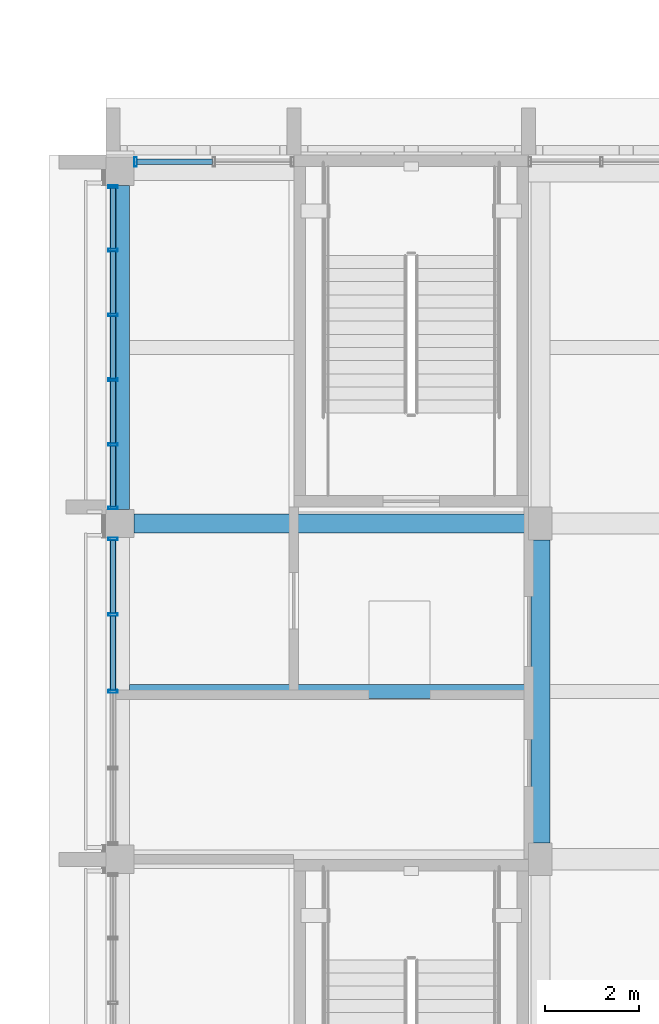
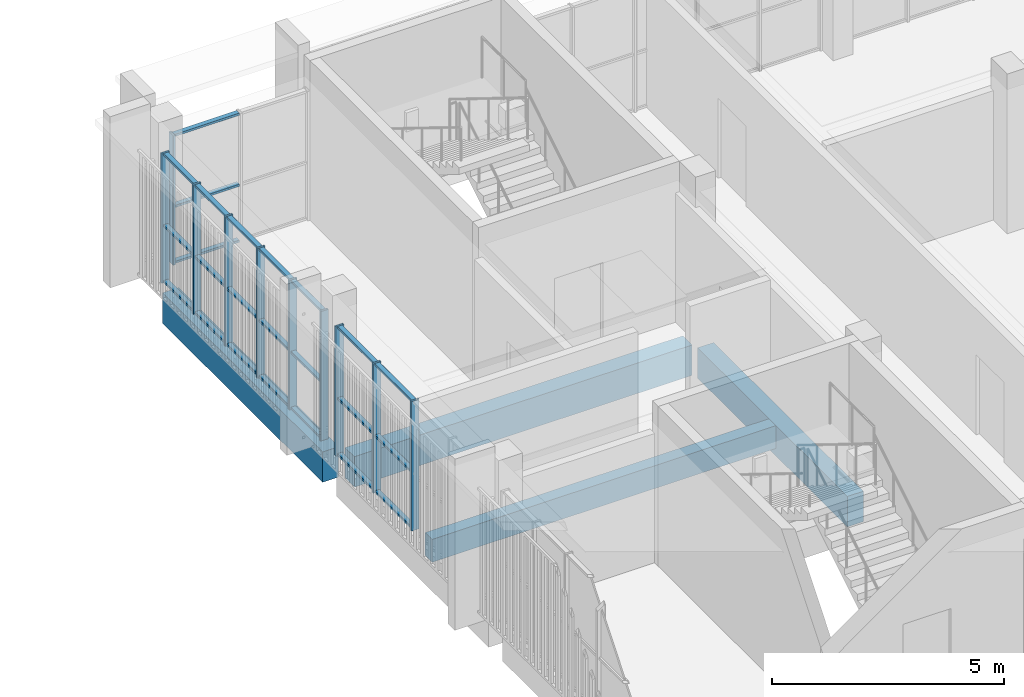
# One storey, part 35 of 98: 34 members, 4 beams, 3 elements without a shape of their own.
"""IFC4 building model written with IfcOpenShell, lengths in metres."""

from ifc_helpers import new_model, si_unit, direction, frame, origin, origin_2d, place, context, subcontext, project, spatial, rectangle, hollow_rectangle, extrude, material, material_profile, profile_set, type_object, element, aggregate, save


model = new_model("IFC4")

# Units and contexts
model_context = context("Model", 3, precision=1e-05, world=origin(), true_north=direction((0.0, 1.0)))
body_context = subcontext(model_context, "Body", "Model", "MODEL_VIEW")
ifc_project = project(units=[si_unit("LENGTHUNIT", "METRE"), si_unit("AREAUNIT", "SQUARE_METRE"), si_unit("VOLUMEUNIT", "CUBIC_METRE"), si_unit("PLANEANGLEUNIT", "RADIAN"), si_unit("MASSUNIT", "GRAM", prefix="KILO")], contexts=[model_context])

# Site, building, storey
site_placement = place(None, origin())
site = spatial("IfcSite", under=ifc_project, at=site_placement, CompositionType="ELEMENT")
building_placement = place(site_placement, origin())
building = spatial("IfcBuilding", under=site, at=building_placement, Name="Sun Court Science Centre", CompositionType="ELEMENT")
storey_placement = place(building_placement, frame((0.0, 0.0, 15.75)))
storey = spatial("IfcBuildingStorey", under=building, at=storey_placement, Name="L03", CompositionType="ELEMENT", Elevation=15.75)

# Curtain wall, members
ifc_material_1 = material(Name="Aluminium EN AW-6063 T6", Category="aluminium")
curtain_wall_type = type_object("IfcCurtainWallType", Name="Laboratory tall bay curtain wall 1500", PredefinedType="NOTDEFINED", material=ifc_material_1)
curtain_wall_1_placement = place(storey_placement, origin())
curtain_wall_1 = element("IfcCurtainWall", 1, at=curtain_wall_1_placement, inside=storey, type_object=curtain_wall_type, Name="Curtain wall V4 W L03 08", PredefinedType="NOTDEFINED")
ifc_material_2 = material(Name="Aluminium EN AW-6063 T6", Category="aluminium")
ifc_material_profile_1 = material_profile(ifc_material_2, hollow_rectangle(XDim=0.06005859375, YDim=0.199951171875, WallThickness=0.0048828125, InnerFilletRadius=0.0048828125, OuterFilletRadius=0.007568359375, at=origin_2d()), Name="AL 60x200x5")
ifc_profile_set_1 = profile_set([ifc_material_profile_1], Name="Aluminium EN AW-6063 T6")
member_type_1 = type_object("IfcMemberType", Name="Curtain wall mullion AL 60x200", PredefinedType="MULLION", material=ifc_profile_set_1)
member_1_placement = place(storey_placement, frame((78.14990234375, 69.574951171875, 0.0), z_axis=(0.0, 0.0, 1.0), x_axis=(0.0, 1.0, 0.0)))
member_1 = element("IfcMember", 2, at=member_1_placement, type_object=member_type_1, Name="CW2-35 mullion 3", PredefinedType="MULLION", context=body_context, shape_type="SweptSolid", body=[
    extrude(hollow_rectangle(XDim=0.06005859375, YDim=0.199951171875, WallThickness=0.0048828125, InnerFilletRadius=0.0048828125, OuterFilletRadius=0.007568359375, at=origin_2d()), origin(), (0.0, 0.0, 1.0), 3.39990234375),
])
member_2_placement = place(storey_placement, frame((78.14990234375, 71.21240234375, 0.0), z_axis=(0.0, 0.0, 1.0), x_axis=(0.0, 1.0, 0.0)))
member_2 = element("IfcMember", 3, at=member_2_placement, type_object=member_type_1, Name="CW2-35 mullion 4", PredefinedType="MULLION", context=body_context, shape_type="SweptSolid", body=[
    extrude(hollow_rectangle(XDim=0.06005859375, YDim=0.199951171875, WallThickness=0.0048828125, InnerFilletRadius=0.0048828125, OuterFilletRadius=0.007568359375, at=origin_2d()), origin(), (0.0, 0.0, 1.0), 3.39990234375),
])
member_3_placement = place(storey_placement, frame((78.14990234375, 72.820068359375, 0.0), z_axis=(0.0, 0.0, 1.0), x_axis=(0.0, 1.0, 0.0)))
member_3 = element("IfcMember", 4, at=member_3_placement, type_object=member_type_1, Name="CW2-35 mullion 5", PredefinedType="MULLION", context=body_context, shape_type="SweptSolid", body=[
    extrude(hollow_rectangle(XDim=0.06005859375, YDim=0.199951171875, WallThickness=0.0048828125, InnerFilletRadius=0.0048828125, OuterFilletRadius=0.007568359375, at=origin_2d()), origin(), (0.0, 0.0, 1.0), 3.39990234375),
])

curtain_wall_2_placement = place(storey_placement, origin())
curtain_wall_2 = element("IfcCurtainWall", 5, at=curtain_wall_2_placement, inside=storey, type_object=curtain_wall_type, Name="Curtain wall V4 W L03 09", PredefinedType="NOTDEFINED")
member_4_placement = place(storey_placement, frame((78.14990234375, 73.47998046875, 0.0), z_axis=(0.0, 0.0, 1.0), x_axis=(0.0, 1.0, 0.0)))
member_4 = element("IfcMember", 6, at=member_4_placement, type_object=member_type_1, Name="CW2-36 mullion 1", PredefinedType="MULLION", context=body_context, shape_type="SweptSolid", body=[
    extrude(hollow_rectangle(XDim=0.06005859375, YDim=0.199951171875, WallThickness=0.0048828125, InnerFilletRadius=0.0048828125, OuterFilletRadius=0.007568359375, at=origin_2d()), origin(), (0.0, 0.0, 1.0), 3.39990234375),
])
member_5_placement = place(storey_placement, frame((78.14990234375, 74.830078125, 0.0), z_axis=(0.0, 0.0, 1.0), x_axis=(0.0, 1.0, 0.0)))
member_5 = element("IfcMember", 7, at=member_5_placement, type_object=member_type_1, Name="CW2-36 mullion 2", PredefinedType="MULLION", context=body_context, shape_type="SweptSolid", body=[
    extrude(hollow_rectangle(XDim=0.06005859375, YDim=0.199951171875, WallThickness=0.0048828125, InnerFilletRadius=0.0048828125, OuterFilletRadius=0.007568359375, at=origin_2d()), origin(), (0.0, 0.0, 1.0), 3.39990234375),
])
member_6_placement = place(storey_placement, frame((78.14990234375, 76.2099609375, 0.0), z_axis=(0.0, 0.0, 1.0), x_axis=(0.0, 1.0, 0.0)))
member_6 = element("IfcMember", 8, at=member_6_placement, type_object=member_type_1, Name="CW2-36 mullion 3", PredefinedType="MULLION", context=body_context, shape_type="SweptSolid", body=[
    extrude(hollow_rectangle(XDim=0.06005859375, YDim=0.199951171875, WallThickness=0.0048828125, InnerFilletRadius=0.0048828125, OuterFilletRadius=0.007568359375, at=origin_2d()), origin(), (0.0, 0.0, 1.0), 3.39990234375),
])
member_7_placement = place(storey_placement, frame((78.14990234375, 77.590087890625, 0.0), z_axis=(0.0, 0.0, 1.0), x_axis=(0.0, 1.0, 0.0)))
member_7 = element("IfcMember", 9, at=member_7_placement, type_object=member_type_1, Name="CW2-36 mullion 4", PredefinedType="MULLION", context=body_context, shape_type="SweptSolid", body=[
    extrude(hollow_rectangle(XDim=0.06005859375, YDim=0.199951171875, WallThickness=0.0048828125, InnerFilletRadius=0.0048828125, OuterFilletRadius=0.007568359375, at=origin_2d()), origin(), (0.0, 0.0, 1.0), 3.39990234375),
])
member_8_placement = place(storey_placement, frame((78.14990234375, 78.969970703125, 0.0), z_axis=(0.0, 0.0, 1.0), x_axis=(0.0, 1.0, 0.0)))
member_8 = element("IfcMember", 10, at=member_8_placement, type_object=member_type_1, Name="CW2-36 mullion 5", PredefinedType="MULLION", context=body_context, shape_type="SweptSolid", body=[
    extrude(hollow_rectangle(XDim=0.06005859375, YDim=0.199951171875, WallThickness=0.0048828125, InnerFilletRadius=0.0048828125, OuterFilletRadius=0.007568359375, at=origin_2d()), origin(), (0.0, 0.0, 1.0), 3.39990234375),
])
member_9_placement = place(storey_placement, frame((78.14990234375, 80.320068359375, 0.0), z_axis=(0.0, 0.0, 1.0), x_axis=(0.0, 1.0, 0.0)))
member_9 = element("IfcMember", 11, at=member_9_placement, type_object=member_type_1, Name="CW2-36 mullion 6", PredefinedType="MULLION", context=body_context, shape_type="SweptSolid", body=[
    extrude(hollow_rectangle(XDim=0.06005859375, YDim=0.199951171875, WallThickness=0.0048828125, InnerFilletRadius=0.0048828125, OuterFilletRadius=0.007568359375, at=origin_2d()), origin(), (0.0, 0.0, 1.0), 3.39990234375),
])

# Curtain wall, member
curtain_wall_3_placement = place(storey_placement, origin())
curtain_wall_3 = element("IfcCurtainWall", 12, at=curtain_wall_3_placement, inside=storey, type_object=curtain_wall_type, Name="Curtain wall V4 N L03 01", PredefinedType="NOTDEFINED")
member_10_placement = place(storey_placement, frame((78.6298828125, 80.85009765625, 0.0), z_axis=(0.0, 0.0, 1.0), x_axis=(1.0, 0.0, 0.0)))
member_10 = element("IfcMember", 13, at=member_10_placement, type_object=member_type_1, Name="CW2-70 mullion 1", PredefinedType="MULLION", context=body_context, shape_type="SweptSolid", body=[
    extrude(hollow_rectangle(XDim=0.06005859375, YDim=0.199951171875, WallThickness=0.0048828125, InnerFilletRadius=0.0048828125, OuterFilletRadius=0.007568359375, at=origin_2d()), origin(), (0.0, 0.0, 1.0), 3.39990234375),
])

# Member
ifc_material_3 = material(Name="Aluminium EN AW-6063 T6", Category="aluminium")
ifc_material_profile_2 = material_profile(ifc_material_3, hollow_rectangle(XDim=0.06005859375, YDim=0.1201171875, WallThickness=0.00390625, InnerFilletRadius=0.00390625, OuterFilletRadius=0.006103515625, at=origin_2d()), Name="AL 60x120x4")
ifc_profile_set_2 = profile_set([ifc_material_profile_2], Name="Aluminium EN AW-6063 T6")
member_type_2 = type_object("IfcMemberType", Name="Curtain wall transom AL 60x120", PredefinedType="USERDEFINED", material=ifc_profile_set_2)
member_11_placement = place(storey_placement, frame((78.14990234375, 69.60498046875, 0.030029296875), z_axis=(0.0, 1.0, 0.0), x_axis=(0.0, 0.0, 1.0)))
member_11 = element("IfcMember", 14, at=member_11_placement, type_object=member_type_2, Name="CW2-35 transom 3.1", ObjectType="TRANSOM", PredefinedType="USERDEFINED", context=body_context, shape_type="SweptSolid", body=[
    extrude(hollow_rectangle(XDim=0.06005859375, YDim=0.1201171875, WallThickness=0.00390625, InnerFilletRadius=0.00390625, OuterFilletRadius=0.006103515625, at=origin_2d()), origin(), (0.0, 0.0, 1.0), 1.57763671875),
])

member_12_placement = place(storey_placement, frame((78.14990234375, 71.242431640625, 0.030029296875), z_axis=(0.0, 1.0, 0.0), x_axis=(0.0, 0.0, 1.0)))
member_12 = element("IfcMember", 15, at=member_12_placement, type_object=member_type_2, Name="CW2-35 transom 4.1", ObjectType="TRANSOM", PredefinedType="USERDEFINED", context=body_context, shape_type="SweptSolid", body=[
    extrude(hollow_rectangle(XDim=0.06005859375, YDim=0.1201171875, WallThickness=0.00390625, InnerFilletRadius=0.00390625, OuterFilletRadius=0.006103515625, at=origin_2d()), origin(), (0.0, 0.0, 1.0), 1.547607421875),
])

member_13_placement = place(storey_placement, frame((78.14990234375, 69.60498046875, 1.5), z_axis=(0.0, 1.0, 0.0), x_axis=(0.0, 0.0, 1.0)))
member_13 = element("IfcMember", 16, at=member_13_placement, type_object=member_type_2, Name="CW2-35 transom 3.2", ObjectType="TRANSOM", PredefinedType="USERDEFINED", context=body_context, shape_type="SweptSolid", body=[
    extrude(hollow_rectangle(XDim=0.06005859375, YDim=0.1201171875, WallThickness=0.00390625, InnerFilletRadius=0.00390625, OuterFilletRadius=0.006103515625, at=origin_2d()), origin(), (0.0, 0.0, 1.0), 1.57763671875),
])

member_14_placement = place(storey_placement, frame((78.14990234375, 71.242431640625, 1.5), z_axis=(0.0, 1.0, 0.0), x_axis=(0.0, 0.0, 1.0)))
member_14 = element("IfcMember", 17, at=member_14_placement, type_object=member_type_2, Name="CW2-35 transom 4.2", ObjectType="TRANSOM", PredefinedType="USERDEFINED", context=body_context, shape_type="SweptSolid", body=[
    extrude(hollow_rectangle(XDim=0.06005859375, YDim=0.1201171875, WallThickness=0.00390625, InnerFilletRadius=0.00390625, OuterFilletRadius=0.006103515625, at=origin_2d()), origin(), (0.0, 0.0, 1.0), 1.547607421875),
])

member_15_placement = place(storey_placement, frame((78.14990234375, 69.60498046875, 3.3701171875), z_axis=(0.0, 1.0, 0.0), x_axis=(0.0, 0.0, 1.0)))
member_15 = element("IfcMember", 18, at=member_15_placement, type_object=member_type_2, Name="CW2-35 transom 3.3", ObjectType="TRANSOM", PredefinedType="USERDEFINED", context=body_context, shape_type="SweptSolid", body=[
    extrude(hollow_rectangle(XDim=0.06005859375, YDim=0.1201171875, WallThickness=0.00390625, InnerFilletRadius=0.00390625, OuterFilletRadius=0.006103515625, at=origin_2d()), origin(), (0.0, 0.0, 1.0), 1.57763671875),
])

member_16_placement = place(storey_placement, frame((78.14990234375, 71.242431640625, 3.3701171875), z_axis=(0.0, 1.0, 0.0), x_axis=(0.0, 0.0, 1.0)))
member_16 = element("IfcMember", 19, at=member_16_placement, type_object=member_type_2, Name="CW2-35 transom 4.3", ObjectType="TRANSOM", PredefinedType="USERDEFINED", context=body_context, shape_type="SweptSolid", body=[
    extrude(hollow_rectangle(XDim=0.06005859375, YDim=0.1201171875, WallThickness=0.00390625, InnerFilletRadius=0.00390625, OuterFilletRadius=0.006103515625, at=origin_2d()), origin(), (0.0, 0.0, 1.0), 1.547607421875),
])

aggregate(curtain_wall_1, [member_1, member_2, member_3, member_11, member_12, member_13, member_14, member_15, member_16])

member_17_placement = place(storey_placement, frame((78.14990234375, 73.510009765625, 0.030029296875), z_axis=(0.0, 1.0, 0.0), x_axis=(0.0, 0.0, 1.0)))
member_17 = element("IfcMember", 20, at=member_17_placement, type_object=member_type_2, Name="CW2-36 transom 1.1", ObjectType="TRANSOM", PredefinedType="USERDEFINED", context=body_context, shape_type="SweptSolid", body=[
    extrude(hollow_rectangle(XDim=0.06005859375, YDim=0.1201171875, WallThickness=0.00390625, InnerFilletRadius=0.00390625, OuterFilletRadius=0.006103515625, at=origin_2d()), origin(), (0.0, 0.0, 1.0), 1.2900390625),
])

member_18_placement = place(storey_placement, frame((78.14990234375, 74.860107421875, 0.030029296875), z_axis=(0.0, 1.0, 0.0), x_axis=(0.0, 0.0, 1.0)))
member_18 = element("IfcMember", 21, at=member_18_placement, type_object=member_type_2, Name="CW2-36 transom 2.1", ObjectType="TRANSOM", PredefinedType="USERDEFINED", context=body_context, shape_type="SweptSolid", body=[
    extrude(hollow_rectangle(XDim=0.06005859375, YDim=0.1201171875, WallThickness=0.00390625, InnerFilletRadius=0.00390625, OuterFilletRadius=0.006103515625, at=origin_2d()), origin(), (0.0, 0.0, 1.0), 1.31982421875),
])

member_19_placement = place(storey_placement, frame((78.14990234375, 76.239990234375, 0.030029296875), z_axis=(0.0, 1.0, 0.0), x_axis=(0.0, 0.0, 1.0)))
member_19 = element("IfcMember", 22, at=member_19_placement, type_object=member_type_2, Name="CW2-36 transom 3.1", ObjectType="TRANSOM", PredefinedType="USERDEFINED", context=body_context, shape_type="SweptSolid", body=[
    extrude(hollow_rectangle(XDim=0.06005859375, YDim=0.1201171875, WallThickness=0.00390625, InnerFilletRadius=0.00390625, OuterFilletRadius=0.006103515625, at=origin_2d()), origin(), (0.0, 0.0, 1.0), 1.320068359375),
])

member_20_placement = place(storey_placement, frame((78.14990234375, 77.6201171875, 0.030029296875), z_axis=(0.0, 1.0, 0.0), x_axis=(0.0, 0.0, 1.0)))
member_20 = element("IfcMember", 23, at=member_20_placement, type_object=member_type_2, Name="CW2-36 transom 4.1", ObjectType="TRANSOM", PredefinedType="USERDEFINED", context=body_context, shape_type="SweptSolid", body=[
    extrude(hollow_rectangle(XDim=0.06005859375, YDim=0.1201171875, WallThickness=0.00390625, InnerFilletRadius=0.00390625, OuterFilletRadius=0.006103515625, at=origin_2d()), origin(), (0.0, 0.0, 1.0), 1.31982421875),
])

member_21_placement = place(storey_placement, frame((78.14990234375, 79.0, 0.030029296875), z_axis=(0.0, 1.0, 0.0), x_axis=(0.0, 0.0, 1.0)))
member_21 = element("IfcMember", 24, at=member_21_placement, type_object=member_type_2, Name="CW2-36 transom 5.1", ObjectType="TRANSOM", PredefinedType="USERDEFINED", context=body_context, shape_type="SweptSolid", body=[
    extrude(hollow_rectangle(XDim=0.06005859375, YDim=0.1201171875, WallThickness=0.00390625, InnerFilletRadius=0.00390625, OuterFilletRadius=0.006103515625, at=origin_2d()), origin(), (0.0, 0.0, 1.0), 1.2900390625),
])

member_22_placement = place(storey_placement, frame((78.14990234375, 73.510009765625, 1.5), z_axis=(0.0, 1.0, 0.0), x_axis=(0.0, 0.0, 1.0)))
member_22 = element("IfcMember", 25, at=member_22_placement, type_object=member_type_2, Name="CW2-36 transom 1.2", ObjectType="TRANSOM", PredefinedType="USERDEFINED", context=body_context, shape_type="SweptSolid", body=[
    extrude(hollow_rectangle(XDim=0.06005859375, YDim=0.1201171875, WallThickness=0.00390625, InnerFilletRadius=0.00390625, OuterFilletRadius=0.006103515625, at=origin_2d()), origin(), (0.0, 0.0, 1.0), 1.2900390625),
])

member_23_placement = place(storey_placement, frame((78.14990234375, 74.860107421875, 1.5), z_axis=(0.0, 1.0, 0.0), x_axis=(0.0, 0.0, 1.0)))
member_23 = element("IfcMember", 26, at=member_23_placement, type_object=member_type_2, Name="CW2-36 transom 2.2", ObjectType="TRANSOM", PredefinedType="USERDEFINED", context=body_context, shape_type="SweptSolid", body=[
    extrude(hollow_rectangle(XDim=0.06005859375, YDim=0.1201171875, WallThickness=0.00390625, InnerFilletRadius=0.00390625, OuterFilletRadius=0.006103515625, at=origin_2d()), origin(), (0.0, 0.0, 1.0), 1.31982421875),
])

member_24_placement = place(storey_placement, frame((78.14990234375, 76.239990234375, 1.5), z_axis=(0.0, 1.0, 0.0), x_axis=(0.0, 0.0, 1.0)))
member_24 = element("IfcMember", 27, at=member_24_placement, type_object=member_type_2, Name="CW2-36 transom 3.2", ObjectType="TRANSOM", PredefinedType="USERDEFINED", context=body_context, shape_type="SweptSolid", body=[
    extrude(hollow_rectangle(XDim=0.06005859375, YDim=0.1201171875, WallThickness=0.00390625, InnerFilletRadius=0.00390625, OuterFilletRadius=0.006103515625, at=origin_2d()), origin(), (0.0, 0.0, 1.0), 1.320068359375),
])

member_25_placement = place(storey_placement, frame((78.14990234375, 77.6201171875, 1.5), z_axis=(0.0, 1.0, 0.0), x_axis=(0.0, 0.0, 1.0)))
member_25 = element("IfcMember", 28, at=member_25_placement, type_object=member_type_2, Name="CW2-36 transom 4.2", ObjectType="TRANSOM", PredefinedType="USERDEFINED", context=body_context, shape_type="SweptSolid", body=[
    extrude(hollow_rectangle(XDim=0.06005859375, YDim=0.1201171875, WallThickness=0.00390625, InnerFilletRadius=0.00390625, OuterFilletRadius=0.006103515625, at=origin_2d()), origin(), (0.0, 0.0, 1.0), 1.31982421875),
])

member_26_placement = place(storey_placement, frame((78.14990234375, 79.0, 1.5), z_axis=(0.0, 1.0, 0.0), x_axis=(0.0, 0.0, 1.0)))
member_26 = element("IfcMember", 29, at=member_26_placement, type_object=member_type_2, Name="CW2-36 transom 5.2", ObjectType="TRANSOM", PredefinedType="USERDEFINED", context=body_context, shape_type="SweptSolid", body=[
    extrude(hollow_rectangle(XDim=0.06005859375, YDim=0.1201171875, WallThickness=0.00390625, InnerFilletRadius=0.00390625, OuterFilletRadius=0.006103515625, at=origin_2d()), origin(), (0.0, 0.0, 1.0), 1.2900390625),
])

member_27_placement = place(storey_placement, frame((78.14990234375, 73.510009765625, 3.3701171875), z_axis=(0.0, 1.0, 0.0), x_axis=(0.0, 0.0, 1.0)))
member_27 = element("IfcMember", 30, at=member_27_placement, type_object=member_type_2, Name="CW2-36 transom 1.3", ObjectType="TRANSOM", PredefinedType="USERDEFINED", context=body_context, shape_type="SweptSolid", body=[
    extrude(hollow_rectangle(XDim=0.06005859375, YDim=0.1201171875, WallThickness=0.00390625, InnerFilletRadius=0.00390625, OuterFilletRadius=0.006103515625, at=origin_2d()), origin(), (0.0, 0.0, 1.0), 1.2900390625),
])

member_28_placement = place(storey_placement, frame((78.14990234375, 74.860107421875, 3.3701171875), z_axis=(0.0, 1.0, 0.0), x_axis=(0.0, 0.0, 1.0)))
member_28 = element("IfcMember", 31, at=member_28_placement, type_object=member_type_2, Name="CW2-36 transom 2.3", ObjectType="TRANSOM", PredefinedType="USERDEFINED", context=body_context, shape_type="SweptSolid", body=[
    extrude(hollow_rectangle(XDim=0.06005859375, YDim=0.1201171875, WallThickness=0.00390625, InnerFilletRadius=0.00390625, OuterFilletRadius=0.006103515625, at=origin_2d()), origin(), (0.0, 0.0, 1.0), 1.31982421875),
])

member_29_placement = place(storey_placement, frame((78.14990234375, 76.239990234375, 3.3701171875), z_axis=(0.0, 1.0, 0.0), x_axis=(0.0, 0.0, 1.0)))
member_29 = element("IfcMember", 32, at=member_29_placement, type_object=member_type_2, Name="CW2-36 transom 3.3", ObjectType="TRANSOM", PredefinedType="USERDEFINED", context=body_context, shape_type="SweptSolid", body=[
    extrude(hollow_rectangle(XDim=0.06005859375, YDim=0.1201171875, WallThickness=0.00390625, InnerFilletRadius=0.00390625, OuterFilletRadius=0.006103515625, at=origin_2d()), origin(), (0.0, 0.0, 1.0), 1.320068359375),
])

member_30_placement = place(storey_placement, frame((78.14990234375, 77.6201171875, 3.3701171875), z_axis=(0.0, 1.0, 0.0), x_axis=(0.0, 0.0, 1.0)))
member_30 = element("IfcMember", 33, at=member_30_placement, type_object=member_type_2, Name="CW2-36 transom 4.3", ObjectType="TRANSOM", PredefinedType="USERDEFINED", context=body_context, shape_type="SweptSolid", body=[
    extrude(hollow_rectangle(XDim=0.06005859375, YDim=0.1201171875, WallThickness=0.00390625, InnerFilletRadius=0.00390625, OuterFilletRadius=0.006103515625, at=origin_2d()), origin(), (0.0, 0.0, 1.0), 1.31982421875),
])

member_31_placement = place(storey_placement, frame((78.14990234375, 79.0, 3.3701171875), z_axis=(0.0, 1.0, 0.0), x_axis=(0.0, 0.0, 1.0)))
member_31 = element("IfcMember", 34, at=member_31_placement, type_object=member_type_2, Name="CW2-36 transom 5.3", ObjectType="TRANSOM", PredefinedType="USERDEFINED", context=body_context, shape_type="SweptSolid", body=[
    extrude(hollow_rectangle(XDim=0.06005859375, YDim=0.1201171875, WallThickness=0.00390625, InnerFilletRadius=0.00390625, OuterFilletRadius=0.006103515625, at=origin_2d()), origin(), (0.0, 0.0, 1.0), 1.2900390625),
])

aggregate(curtain_wall_2, [member_4, member_5, member_6, member_7, member_8, member_9, member_17, member_18, member_19, member_20, member_21, member_22, member_23, member_24, member_25, member_26, member_27, member_28, member_29, member_30, member_31])

member_32_placement = place(storey_placement, frame((78.659912109375, 80.85009765625, 0.030029296875), z_axis=(1.0, 0.0, 0.0), x_axis=(0.0, 0.0, 1.0)))
member_32 = element("IfcMember", 35, at=member_32_placement, type_object=member_type_2, Name="CW2-70 transom 1.1", ObjectType="TRANSOM", PredefinedType="USERDEFINED", context=body_context, shape_type="SweptSolid", body=[
    extrude(hollow_rectangle(XDim=0.06005859375, YDim=0.1201171875, WallThickness=0.00390625, InnerFilletRadius=0.00390625, OuterFilletRadius=0.006103515625, at=origin_2d()), origin(), (0.0, 0.0, 1.0), 1.610107421875),
])

member_33_placement = place(storey_placement, frame((78.659912109375, 80.85009765625, 1.5), z_axis=(1.0, 0.0, 0.0), x_axis=(0.0, 0.0, 1.0)))
member_33 = element("IfcMember", 36, at=member_33_placement, type_object=member_type_2, Name="CW2-70 transom 1.2", ObjectType="TRANSOM", PredefinedType="USERDEFINED", context=body_context, shape_type="SweptSolid", body=[
    extrude(hollow_rectangle(XDim=0.06005859375, YDim=0.1201171875, WallThickness=0.00390625, InnerFilletRadius=0.00390625, OuterFilletRadius=0.006103515625, at=origin_2d()), origin(), (0.0, 0.0, 1.0), 1.610107421875),
])

member_34_placement = place(storey_placement, frame((78.659912109375, 80.85009765625, 3.3701171875), z_axis=(1.0, 0.0, 0.0), x_axis=(0.0, 0.0, 1.0)))
member_34 = element("IfcMember", 37, at=member_34_placement, type_object=member_type_2, Name="CW2-70 transom 1.3", ObjectType="TRANSOM", PredefinedType="USERDEFINED", context=body_context, shape_type="SweptSolid", body=[
    extrude(hollow_rectangle(XDim=0.06005859375, YDim=0.1201171875, WallThickness=0.00390625, InnerFilletRadius=0.00390625, OuterFilletRadius=0.006103515625, at=origin_2d()), origin(), (0.0, 0.0, 1.0), 1.610107421875),
])

aggregate(curtain_wall_3, [member_10, member_32, member_33, member_34])

# Beams
ifc_material_4 = material(Name="Concrete C25/30", Category="concrete")
ifc_material_profile_3 = material_profile(ifc_material_4, rectangle(XDim=0.39990234375, YDim=0.800048828125, at=origin_2d()), Name="RC 400x800")
ifc_profile_set_3 = profile_set([ifc_material_profile_3], Name="Concrete C25/30")
beam_type_1 = type_object("IfcBeamType", Name="RC girder 400x800", PredefinedType="BEAM", material=ifc_profile_set_3)
beam_1_placement = place(storey_placement, frame((78.60009765625, 73.14990234375, -0.699951171875), z_axis=(1.0, 0.0, 0.0), x_axis=(0.0, 1.0, 0.0)))
element("IfcBeam", 38, at=beam_1_placement, inside=storey, type_object=beam_type_1, Name="Girder L03 row 10", PredefinedType="BEAM", context=body_context, shape_type="SweptSolid", body=[
    extrude(rectangle(XDim=0.39990234375, YDim=0.800048828125, at=origin_2d()), origin(), (0.0, 0.0, 1.0), 8.39990234375),
])
beam_2_placement = place(storey_placement, frame((78.300048828125, 73.449951171875, -0.699951171875), z_axis=(0.0, 1.0, 0.0), x_axis=(-1.0, 0.0, 0.0)))
element("IfcBeam", 39, at=beam_2_placement, inside=storey, type_object=beam_type_1, Name="Girder L03 line 1", PredefinedType="BEAM", context=body_context, shape_type="SweptSolid", body=[
    extrude(rectangle(XDim=0.39990234375, YDim=0.800048828125, at=origin_2d()), origin(), (0.0, 0.0, 1.0), 6.900146484375),
])
beam_3_placement = place(storey_placement, frame((87.25, 66.35009765625, -0.699951171875), z_axis=(0.0, 1.0, 0.0), x_axis=(-1.0, 0.0, 0.0)))
element("IfcBeam", 40, at=beam_3_placement, inside=storey, type_object=beam_type_1, Name="Girder L03 line 2", PredefinedType="BEAM", context=body_context, shape_type="SweptSolid", body=[
    extrude(rectangle(XDim=0.39990234375, YDim=0.800048828125, at=origin_2d()), origin(), (0.0, 0.0, 1.0), 6.449951171875),
])
ifc_material_5 = material(Name="Concrete C25/30", Category="concrete")
ifc_material_profile_4 = material_profile(ifc_material_5, rectangle(XDim=0.300048828125, YDim=0.60009765625, at=origin_2d()), Name="RC 300x600")
ifc_profile_set_4 = profile_set([ifc_material_profile_4], Name="Concrete C25/30")
beam_type_2 = type_object("IfcBeamType", Name="RC joist 300x600", PredefinedType="JOIST", material=ifc_profile_set_4)
beam_4_placement = place(storey_placement, frame((78.5, 69.574951171875, -0.60009765625), z_axis=(1.0, 0.0, 0.0), x_axis=(0.0, 1.0, 0.0)))
element("IfcBeam", 41, at=beam_4_placement, inside=storey, type_object=beam_type_2, Name="Joist L03", PredefinedType="JOIST", context=body_context, shape_type="SweptSolid", body=[
    extrude(rectangle(XDim=0.300048828125, YDim=0.60009765625, at=origin_2d()), origin(), (0.0, 0.0, 1.0), 8.550048828125),
])

save(model, "model.ifc")
